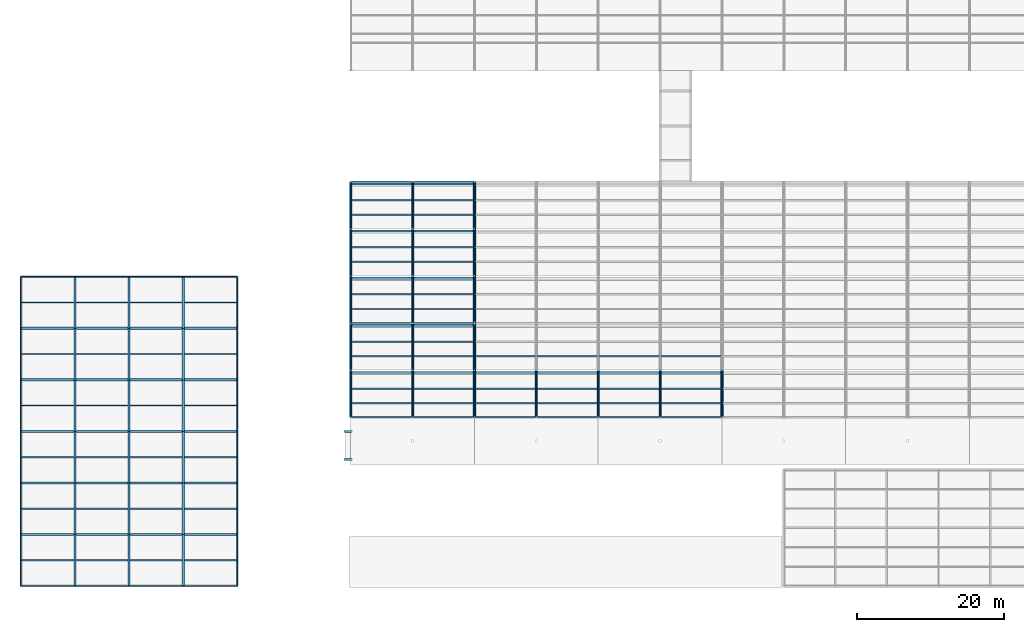
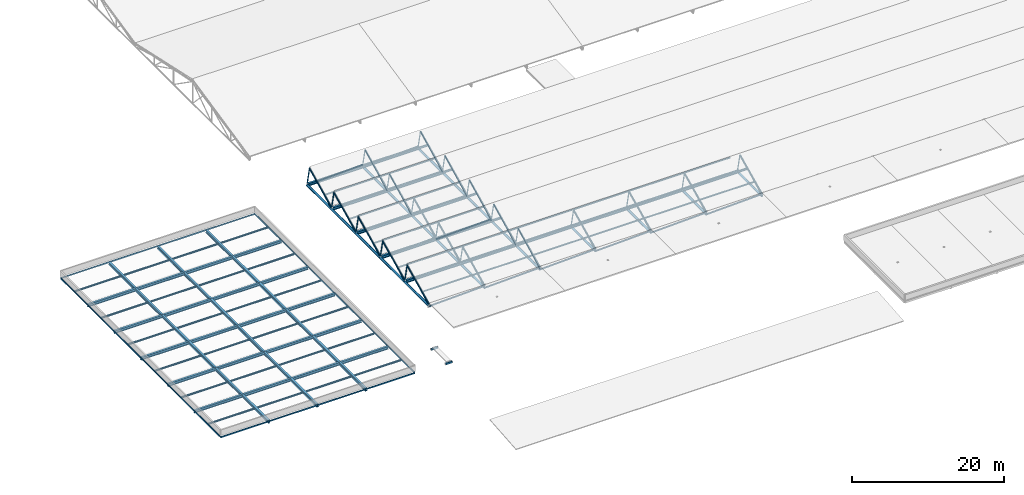
# One storey, part 1 of 194: 128 beams, 88 members.
"""IFC4 building model written with IfcOpenShell, lengths in metres."""

from ifc_helpers import new_model, si_unit, direction, frame, origin, origin_2d, place, context, subcontext, project, spatial, hollow_rectangle, hollow_circle, i_section, extrude, material, material_profile, profile_set, type_object, element, save


model = new_model("IFC4")

# Units and contexts
model_context = context("Model", 3, precision=1e-05, world=origin(), true_north=direction((0.0, 1.0)))
body_context = subcontext(model_context, "Body", "Model", "MODEL_VIEW")
ifc_project = project(units=[si_unit("LENGTHUNIT", "METRE"), si_unit("AREAUNIT", "SQUARE_METRE"), si_unit("VOLUMEUNIT", "CUBIC_METRE"), si_unit("PLANEANGLEUNIT", "RADIAN"), si_unit("MASSUNIT", "GRAM", prefix="KILO")], contexts=[model_context])

# Site, building, storey
site_placement = place(None, origin())
site = spatial("IfcSite", under=ifc_project, at=site_placement, CompositionType="ELEMENT")
building_placement = place(site_placement, origin())
building = spatial("IfcBuilding", under=site, at=building_placement, Name="Kazenagashi Tramway Depot", CompositionType="ELEMENT")
storey_placement = place(building_placement, frame((0.0, 0.0, 23.7)))
storey = spatial("IfcBuildingStorey", under=building, at=storey_placement, Name="ROOF", CompositionType="ELEMENT", Elevation=23.7)

# Members
ifc_material_1 = material(Name="Steel STKR400", Category="steel")
ifc_material_profile_1 = material_profile(ifc_material_1, hollow_rectangle(XDim=0.175, YDim=0.175, WallThickness=0.008, at=origin_2d()), Name="SHS-175x175x8")
ifc_profile_set_1 = profile_set([ifc_material_profile_1], Name="Steel STKR400")
member_type_1 = type_object("IfcMemberType", Name="BR-03", PredefinedType="BRACE", material=ifc_profile_set_1)
for number, where, z_axis, x_axis, name in (
    (1, (44.8, 22.9, -8.9), (0.999362854348, 0.0, 0.035691530512), (0.0, 1.0, 0.0), "Roof Truss BR-03 MEM-1174"),
    (2, (44.8, 35.7, -8.9), (0.999362854348, 0.0, 0.035691530512), (0.0, 1.0, 0.0), "Roof Truss BR-03 MEM-1175"),
    (3, (44.8, 54.9, -8.9), (0.999362854348, 0.0, 0.035691530512), (0.0, 1.0, 0.0), "Roof Truss BR-03 MEM-1176"),
    (4, (53.2, 22.9, -8.9), (0.999362854348, 0.0, 0.035691530512), (0.0, 1.0, 0.0), "Roof Truss BR-03 MEM-1203"),
    (5, (53.2, 35.7, -8.9), (0.999362854348, 0.0, 0.035691530512), (0.0, 1.0, 0.0), "Roof Truss BR-03 MEM-1204"),
    (6, (53.2, 54.9, -8.9), (0.999362854348, 0.0, 0.035691530512), (0.0, 1.0, 0.0), "Roof Truss BR-03 MEM-1205"),
    (7, (61.6, 22.9, -8.9), (0.999362854348, 0.0, 0.035691530512), (0.0, 1.0, 0.0), "Roof Truss BR-03 MEM-1232"),
    (8, (70.0, 22.9, -8.9), (0.999362854348, 0.0, 0.035691530512), (0.0, 1.0, 0.0), "Roof Truss BR-03 MEM-1261"),
    (9, (78.4, 22.9, -8.9), (0.999362854348, 0.0, 0.035691530512), (0.0, 1.0, 0.0), "Roof Truss BR-03 MEM-1290"),
    (10, (86.8, 22.9, -8.9), (0.999362854348, 0.0, 0.035691530512), (0.0, 1.0, 0.0), "Roof Truss BR-03 MEM-1319"),
):
    element("IfcMember", number, at=place(storey_placement, frame(where, z_axis=z_axis, x_axis=x_axis)), inside=storey, type_object=member_type_1, Name=name, PredefinedType="BRACE", context=body_context, shape_type="SweptSolid", body=[
        extrude(hollow_rectangle(XDim=0.175, YDim=0.175, WallThickness=0.008, at=origin_2d()), origin(), (0.0, 0.0, 1.0), 8.405355),
    ])

# Beams
ifc_material_2 = material(Name="Steel SN490B", Category="steel")
ifc_material_profile_2 = material_profile(ifc_material_2, i_section(OverallWidth=0.3, OverallDepth=0.44, WebThickness=0.011, FlangeThickness=0.018, at=origin_2d()), Name="H-440x300x11x18")
ifc_profile_set_2 = profile_set([ifc_material_profile_2], Name="Steel SN490B")
beam_type_1 = type_object("IfcBeamType", Name="G-06", PredefinedType="BEAM", material=ifc_profile_set_2)
for number, where, z_axis, x_axis, name in (
    (11, (0.0, 7.0, -0.44), (1.0, 0.0, 0.0), (0.0, 1.0, 0.0), "Beam G-06 BM-0663"),
    (12, (7.35, 7.0, -0.44), (1.0, 0.0, 0.0), (0.0, 1.0, 0.0), "Beam G-06 BM-0664"),
    (13, (14.7, 7.0, -0.44), (1.0, 0.0, 0.0), (0.0, 1.0, 0.0), "Beam G-06 BM-0665"),
    (14, (22.05, 7.0, -0.44), (1.0, 0.0, 0.0), (0.0, 1.0, 0.0), "Beam G-06 BM-0666"),
    (15, (0.0, 14.0, -0.44), (1.0, 0.0, 0.0), (0.0, 1.0, 0.0), "Beam G-06 BM-0667"),
    (16, (7.35, 14.0, -0.44), (1.0, 0.0, 0.0), (0.0, 1.0, 0.0), "Beam G-06 BM-0668"),
    (17, (14.7, 14.0, -0.44), (1.0, 0.0, 0.0), (0.0, 1.0, 0.0), "Beam G-06 BM-0669"),
    (18, (22.05, 14.0, -0.44), (1.0, 0.0, 0.0), (0.0, 1.0, 0.0), "Beam G-06 BM-0670"),
    (19, (0.0, 21.0, -0.44), (1.0, 0.0, 0.0), (0.0, 1.0, 0.0), "Beam G-06 BM-0671"),
    (20, (7.35, 21.0, -0.44), (1.0, 0.0, 0.0), (0.0, 1.0, 0.0), "Beam G-06 BM-0672"),
    (21, (14.7, 21.0, -0.44), (1.0, 0.0, 0.0), (0.0, 1.0, 0.0), "Beam G-06 BM-0673"),
    (22, (22.05, 21.0, -0.44), (1.0, 0.0, 0.0), (0.0, 1.0, 0.0), "Beam G-06 BM-0674"),
    (23, (0.0, 28.0, -0.44), (1.0, 0.0, 0.0), (0.0, 1.0, 0.0), "Beam G-06 BM-0675"),
    (24, (7.35, 28.0, -0.44), (1.0, 0.0, 0.0), (0.0, 1.0, 0.0), "Beam G-06 BM-0676"),
    (25, (14.7, 28.0, -0.44), (1.0, 0.0, 0.0), (0.0, 1.0, 0.0), "Beam G-06 BM-0677"),
    (26, (22.05, 28.0, -0.44), (1.0, 0.0, 0.0), (0.0, 1.0, 0.0), "Beam G-06 BM-0678"),
    (27, (0.0, 35.0, -0.44), (1.0, 0.0, 0.0), (0.0, 1.0, 0.0), "Beam G-06 BM-0679"),
    (28, (7.35, 35.0, -0.44), (1.0, 0.0, 0.0), (0.0, 1.0, 0.0), "Beam G-06 BM-0680"),
    (29, (14.7, 35.0, -0.44), (1.0, 0.0, 0.0), (0.0, 1.0, 0.0), "Beam G-06 BM-0681"),
    (30, (22.05, 35.0, -0.44), (1.0, 0.0, 0.0), (0.0, 1.0, 0.0), "Beam G-06 BM-0682"),
):
    element("IfcBeam", number, at=place(storey_placement, frame(where, z_axis=z_axis, x_axis=x_axis)), inside=storey, type_object=beam_type_1, Name=name, PredefinedType="BEAM", context=body_context, shape_type="SweptSolid", body=[
        extrude(i_section(OverallWidth=0.3, OverallDepth=0.44, WebThickness=0.011, FlangeThickness=0.018, at=origin_2d()), origin(), (0.0, 0.0, 1.0), 7.35),
    ])
for number, where, z_axis, x_axis, name in (
    (31, (7.35, 0.0, -0.44), (0.0, 1.0, 0.0), (-1.0, 0.0, 0.0), "Beam G-06 BM-0699"),
    (32, (7.35, 7.0, -0.44), (0.0, 1.0, 0.0), (-1.0, 0.0, 0.0), "Beam G-06 BM-0701"),
    (33, (7.35, 14.0, -0.44), (0.0, 1.0, 0.0), (-1.0, 0.0, 0.0), "Beam G-06 BM-0703"),
    (34, (7.35, 21.0, -0.44), (0.0, 1.0, 0.0), (-1.0, 0.0, 0.0), "Beam G-06 BM-0705"),
    (35, (7.35, 28.0, -0.44), (0.0, 1.0, 0.0), (-1.0, 0.0, 0.0), "Beam G-06 BM-0707"),
    (36, (7.35, 35.0, -0.44), (0.0, 1.0, 0.0), (-1.0, 0.0, 0.0), "Beam G-06 BM-0709"),
    (37, (14.7, 0.0, -0.44), (0.0, 1.0, 0.0), (-1.0, 0.0, 0.0), "Beam G-06 BM-0711"),
    (38, (14.7, 7.0, -0.44), (0.0, 1.0, 0.0), (-1.0, 0.0, 0.0), "Beam G-06 BM-0713"),
    (39, (14.7, 14.0, -0.44), (0.0, 1.0, 0.0), (-1.0, 0.0, 0.0), "Beam G-06 BM-0715"),
    (40, (14.7, 21.0, -0.44), (0.0, 1.0, 0.0), (-1.0, 0.0, 0.0), "Beam G-06 BM-0717"),
    (41, (14.7, 28.0, -0.44), (0.0, 1.0, 0.0), (-1.0, 0.0, 0.0), "Beam G-06 BM-0719"),
    (42, (14.7, 35.0, -0.44), (0.0, 1.0, 0.0), (-1.0, 0.0, 0.0), "Beam G-06 BM-0721"),
    (43, (22.05, 0.0, -0.44), (0.0, 1.0, 0.0), (-1.0, 0.0, 0.0), "Beam G-06 BM-0723"),
    (44, (22.05, 7.0, -0.44), (0.0, 1.0, 0.0), (-1.0, 0.0, 0.0), "Beam G-06 BM-0725"),
    (45, (22.05, 14.0, -0.44), (0.0, 1.0, 0.0), (-1.0, 0.0, 0.0), "Beam G-06 BM-0727"),
    (46, (22.05, 21.0, -0.44), (0.0, 1.0, 0.0), (-1.0, 0.0, 0.0), "Beam G-06 BM-0729"),
    (47, (22.05, 28.0, -0.44), (0.0, 1.0, 0.0), (-1.0, 0.0, 0.0), "Beam G-06 BM-0731"),
    (48, (22.05, 35.0, -0.44), (0.0, 1.0, 0.0), (-1.0, 0.0, 0.0), "Beam G-06 BM-0733"),
):
    element("IfcBeam", number, at=place(storey_placement, frame(where, z_axis=z_axis, x_axis=x_axis)), inside=storey, type_object=beam_type_1, Name=name, PredefinedType="BEAM", context=body_context, shape_type="SweptSolid", body=[
        extrude(i_section(OverallWidth=0.3, OverallDepth=0.44, WebThickness=0.011, FlangeThickness=0.018, at=origin_2d()), origin(), (0.0, 0.0, 1.0), 7.0),
    ])
for number, where, z_axis, x_axis, name in (
    (49, (44.8, 29.0, -8.62), (1.0, 0.0, 0.0), (0.0, 1.0, 0.0), "Beam G-06 BM-1930"),
    (50, (53.2, 29.0, -8.62), (1.0, 0.0, 0.0), (0.0, 1.0, 0.0), "Beam G-06 BM-1931"),
    (51, (61.6, 29.0, -8.62), (1.0, 0.0, 0.0), (0.0, 1.0, 0.0), "Beam G-06 BM-1932"),
    (52, (70.0, 29.0, -8.62), (1.0, 0.0, 0.0), (0.0, 1.0, 0.0), "Beam G-06 BM-1933"),
    (53, (78.4, 29.0, -8.62), (1.0, 0.0, 0.0), (0.0, 1.0, 0.0), "Beam G-06 BM-1934"),
    (54, (86.8, 29.0, -8.62), (1.0, 0.0, 0.0), (0.0, 1.0, 0.0), "Beam G-06 BM-1935"),
    (55, (44.8, 35.4, -8.62), (1.0, 0.0, 0.0), (0.0, 1.0, 0.0), "Beam G-06 BM-1942"),
    (56, (53.2, 35.4, -8.62), (1.0, 0.0, 0.0), (0.0, 1.0, 0.0), "Beam G-06 BM-1943"),
    (57, (44.8, 41.8, -8.62), (1.0, 0.0, 0.0), (0.0, 1.0, 0.0), "Beam G-06 BM-1954"),
    (58, (53.2, 41.8, -8.62), (1.0, 0.0, 0.0), (0.0, 1.0, 0.0), "Beam G-06 BM-1955"),
    (59, (44.8, 48.2, -8.62), (1.0, 0.0, 0.0), (0.0, 1.0, 0.0), "Beam G-06 BM-1966"),
    (60, (53.2, 48.2, -8.62), (1.0, 0.0, 0.0), (0.0, 1.0, 0.0), "Beam G-06 BM-1967"),
    (61, (44.8, 54.6, -8.62), (1.0, 0.0, 0.0), (0.0, 1.0, 0.0), "Beam G-06 BM-1978"),
    (62, (53.2, 54.6, -8.62), (1.0, 0.0, 0.0), (0.0, 1.0, 0.0), "Beam G-06 BM-1979"),
):
    element("IfcBeam", number, at=place(storey_placement, frame(where, z_axis=z_axis, x_axis=x_axis)), inside=storey, type_object=beam_type_1, Name=name, PredefinedType="BEAM", context=body_context, shape_type="SweptSolid", body=[
        extrude(i_section(OverallWidth=0.3, OverallDepth=0.44, WebThickness=0.011, FlangeThickness=0.018, at=origin_2d()), origin(), (0.0, 0.0, 1.0), 8.4),
    ])
ifc_material_3 = material(Name="Steel SN400B", Category="steel")
ifc_material_profile_3 = material_profile(ifc_material_3, i_section(OverallWidth=0.175, OverallDepth=0.244, WebThickness=0.007, FlangeThickness=0.011, at=origin_2d()), Name="H-244x175x7x11")
ifc_profile_set_3 = profile_set([ifc_material_profile_3], Name="Steel SN400B")
beam_type_2 = type_object("IfcBeamType", Name="J-04", PredefinedType="JOIST", material=ifc_profile_set_3)
for number, where, z_axis, x_axis, name in (
    (63, (0.05, 3.5, -0.342), (1.0, 0.0, 0.0), (0.0, 1.0, 0.0), "Beam J-04 BM-0688"),
    (64, (0.05, 10.5, -0.342), (1.0, 0.0, 0.0), (0.0, 1.0, 0.0), "Beam J-04 BM-0690"),
    (65, (0.05, 17.5, -0.342), (1.0, 0.0, 0.0), (0.0, 1.0, 0.0), "Beam J-04 BM-0692"),
    (66, (0.05, 24.5, -0.342), (1.0, 0.0, 0.0), (0.0, 1.0, 0.0), "Beam J-04 BM-0694"),
    (67, (0.05, 31.5, -0.342), (1.0, 0.0, 0.0), (0.0, 1.0, 0.0), "Beam J-04 BM-0696"),
    (68, (0.05, 38.5, -0.342), (1.0, 0.0, 0.0), (0.0, 1.0, 0.0), "Beam J-04 BM-0698"),
):
    element("IfcBeam", number, at=place(storey_placement, frame(where, z_axis=z_axis, x_axis=x_axis)), inside=storey, type_object=beam_type_2, Name=name, PredefinedType="JOIST", context=body_context, shape_type="SweptSolid", body=[
        extrude(i_section(OverallWidth=0.175, OverallDepth=0.244, WebThickness=0.007, FlangeThickness=0.011, at=origin_2d()), origin(), (0.0, 0.0, 1.0), 7.15),
    ])
for number, where, z_axis, x_axis, name in (
    (69, (7.5, 3.5, -0.342), (1.0, 0.0, 0.0), (0.0, 1.0, 0.0), "Beam J-04 BM-0700"),
    (70, (7.5, 10.5, -0.342), (1.0, 0.0, 0.0), (0.0, 1.0, 0.0), "Beam J-04 BM-0702"),
    (71, (7.5, 17.5, -0.342), (1.0, 0.0, 0.0), (0.0, 1.0, 0.0), "Beam J-04 BM-0704"),
    (72, (7.5, 24.5, -0.342), (1.0, 0.0, 0.0), (0.0, 1.0, 0.0), "Beam J-04 BM-0706"),
    (73, (7.5, 31.5, -0.342), (1.0, 0.0, 0.0), (0.0, 1.0, 0.0), "Beam J-04 BM-0708"),
    (74, (7.5, 38.5, -0.342), (1.0, 0.0, 0.0), (0.0, 1.0, 0.0), "Beam J-04 BM-0710"),
    (75, (14.85, 3.5, -0.342), (1.0, 0.0, 0.0), (0.0, 1.0, 0.0), "Beam J-04 BM-0712"),
    (76, (14.85, 10.5, -0.342), (1.0, 0.0, 0.0), (0.0, 1.0, 0.0), "Beam J-04 BM-0714"),
    (77, (14.85, 17.5, -0.342), (1.0, 0.0, 0.0), (0.0, 1.0, 0.0), "Beam J-04 BM-0716"),
    (78, (14.85, 24.5, -0.342), (1.0, 0.0, 0.0), (0.0, 1.0, 0.0), "Beam J-04 BM-0718"),
    (79, (14.85, 31.5, -0.342), (1.0, 0.0, 0.0), (0.0, 1.0, 0.0), "Beam J-04 BM-0720"),
    (80, (14.85, 38.5, -0.342), (1.0, 0.0, 0.0), (0.0, 1.0, 0.0), "Beam J-04 BM-0722"),
):
    element("IfcBeam", number, at=place(storey_placement, frame(where, z_axis=z_axis, x_axis=x_axis)), inside=storey, type_object=beam_type_2, Name=name, PredefinedType="JOIST", context=body_context, shape_type="SweptSolid", body=[
        extrude(i_section(OverallWidth=0.175, OverallDepth=0.244, WebThickness=0.007, FlangeThickness=0.011, at=origin_2d()), origin(), (0.0, 0.0, 1.0), 7.05),
    ])
for number, where, z_axis, x_axis, name in (
    (81, (22.2, 3.5, -0.342), (1.0, 0.0, 0.0), (0.0, 1.0, 0.0), "Beam J-04 BM-0724"),
    (82, (22.2, 10.5, -0.342), (1.0, 0.0, 0.0), (0.0, 1.0, 0.0), "Beam J-04 BM-0726"),
    (83, (22.2, 17.5, -0.342), (1.0, 0.0, 0.0), (0.0, 1.0, 0.0), "Beam J-04 BM-0728"),
    (84, (22.2, 24.5, -0.342), (1.0, 0.0, 0.0), (0.0, 1.0, 0.0), "Beam J-04 BM-0730"),
    (85, (22.2, 31.5, -0.342), (1.0, 0.0, 0.0), (0.0, 1.0, 0.0), "Beam J-04 BM-0732"),
    (86, (22.2, 38.5, -0.342), (1.0, 0.0, 0.0), (0.0, 1.0, 0.0), "Beam J-04 BM-0734"),
):
    element("IfcBeam", number, at=place(storey_placement, frame(where, z_axis=z_axis, x_axis=x_axis)), inside=storey, type_object=beam_type_2, Name=name, PredefinedType="JOIST", context=body_context, shape_type="SweptSolid", body=[
        extrude(i_section(OverallWidth=0.175, OverallDepth=0.244, WebThickness=0.007, FlangeThickness=0.011, at=origin_2d()), origin(), (0.0, 0.0, 1.0), 7.15),
    ])
ifc_material_profile_4 = material_profile(ifc_material_3, i_section(OverallWidth=0.175, OverallDepth=0.175, WebThickness=0.0075, FlangeThickness=0.011, at=origin_2d()), Name="H-175x175x7.5x11")
ifc_profile_set_4 = profile_set([ifc_material_profile_4], Name="Steel SN400B")
beam_type_3 = type_object("IfcBeamType", Name="PR-02", PredefinedType="USERDEFINED", material=ifc_profile_set_4)
for number, where, z_axis, x_axis, name in (
    (87, (44.8, 24.814, -7.775), (1.0, 0.0, 0.0), (0.0, 1.0, 0.0), "Beam PR-02 BM-2234"),
    (88, (53.2, 24.814, -7.775), (1.0, 0.0, 0.0), (0.0, 1.0, 0.0), "Beam PR-02 BM-2235"),
    (89, (61.6, 24.814, -7.775), (1.0, 0.0, 0.0), (0.0, 1.0, 0.0), "Beam PR-02 BM-2236"),
    (90, (70.0, 24.814, -7.775), (1.0, 0.0, 0.0), (0.0, 1.0, 0.0), "Beam PR-02 BM-2237"),
    (91, (78.4, 24.814, -7.775), (1.0, 0.0, 0.0), (0.0, 1.0, 0.0), "Beam PR-02 BM-2238"),
    (92, (86.8, 24.814, -7.775), (1.0, 0.0, 0.0), (0.0, 1.0, 0.0), "Beam PR-02 BM-2239"),
    (93, (44.8, 31.214, -7.775), (1.0, 0.0, 0.0), (0.0, 1.0, 0.0), "Beam PR-02 BM-2258"),
    (94, (53.2, 31.214, -7.775), (1.0, 0.0, 0.0), (0.0, 1.0, 0.0), "Beam PR-02 BM-2259"),
    (95, (61.6, 31.214, -7.775), (1.0, 0.0, 0.0), (0.0, 1.0, 0.0), "Beam PR-02 BM-2260"),
    (96, (70.0, 31.214, -7.775), (1.0, 0.0, 0.0), (0.0, 1.0, 0.0), "Beam PR-02 BM-2261"),
    (97, (78.4, 31.214, -7.775), (1.0, 0.0, 0.0), (0.0, 1.0, 0.0), "Beam PR-02 BM-2262"),
    (98, (86.8, 31.214, -7.775), (1.0, 0.0, 0.0), (0.0, 1.0, 0.0), "Beam PR-02 BM-2263"),
    (99, (44.8, 37.614, -7.775), (1.0, 0.0, 0.0), (0.0, 1.0, 0.0), "Beam PR-02 BM-2282"),
    (100, (53.2, 37.614, -7.775), (1.0, 0.0, 0.0), (0.0, 1.0, 0.0), "Beam PR-02 BM-2283"),
    (101, (44.8, 44.014, -7.775), (1.0, 0.0, 0.0), (0.0, 1.0, 0.0), "Beam PR-02 BM-2306"),
    (102, (53.2, 44.014, -7.775), (1.0, 0.0, 0.0), (0.0, 1.0, 0.0), "Beam PR-02 BM-2307"),
    (103, (44.8, 50.414, -7.775), (1.0, 0.0, 0.0), (0.0, 1.0, 0.0), "Beam PR-02 BM-2330"),
    (104, (53.2, 50.414, -7.775), (1.0, 0.0, 0.0), (0.0, 1.0, 0.0), "Beam PR-02 BM-2331"),
):
    element("IfcBeam", number, at=place(storey_placement, frame(where, z_axis=z_axis, x_axis=x_axis)), inside=storey, type_object=beam_type_3, Name=name, ObjectType="PURLIN", PredefinedType="USERDEFINED", context=body_context, shape_type="SweptSolid", body=[
        extrude(i_section(OverallWidth=0.175, OverallDepth=0.175, WebThickness=0.0075, FlangeThickness=0.011, at=origin_2d()), origin(), (0.0, 0.0, 1.0), 8.4),
    ])
ifc_material_profile_5 = material_profile(ifc_material_2, i_section(OverallWidth=0.2, OverallDepth=0.294, WebThickness=0.008, FlangeThickness=0.012, at=origin_2d()), Name="H-294x200x8x12")
ifc_profile_set_5 = profile_set([ifc_material_profile_5], Name="Steel SN490B")
beam_type_4 = type_object("IfcBeamType", Name="PR-03", PredefinedType="USERDEFINED", material=ifc_profile_set_5)
for number, where, z_axis, x_axis, name in (
    (105, (44.8, 26.786, -6.873), (1.0, 0.0, 0.0), (0.0, 1.0, 0.0), "Beam PR-03 BM-2246"),
    (106, (53.2, 26.786, -6.873), (1.0, 0.0, 0.0), (0.0, 1.0, 0.0), "Beam PR-03 BM-2247"),
    (107, (61.6, 26.786, -6.873), (1.0, 0.0, 0.0), (0.0, 1.0, 0.0), "Beam PR-03 BM-2248"),
    (108, (70.0, 26.786, -6.873), (1.0, 0.0, 0.0), (0.0, 1.0, 0.0), "Beam PR-03 BM-2249"),
    (109, (78.4, 26.786, -6.873), (1.0, 0.0, 0.0), (0.0, 1.0, 0.0), "Beam PR-03 BM-2250"),
    (110, (86.8, 26.786, -6.873), (1.0, 0.0, 0.0), (0.0, 1.0, 0.0), "Beam PR-03 BM-2251"),
    (111, (44.8, 33.186, -6.873), (1.0, 0.0, 0.0), (0.0, 1.0, 0.0), "Beam PR-03 BM-2270"),
    (112, (53.2, 33.186, -6.873), (1.0, 0.0, 0.0), (0.0, 1.0, 0.0), "Beam PR-03 BM-2271"),
    (113, (44.8, 39.586, -6.873), (1.0, 0.0, 0.0), (0.0, 1.0, 0.0), "Beam PR-03 BM-2294"),
    (114, (53.2, 39.586, -6.873), (1.0, 0.0, 0.0), (0.0, 1.0, 0.0), "Beam PR-03 BM-2295"),
    (115, (44.8, 45.986, -6.873), (1.0, 0.0, 0.0), (0.0, 1.0, 0.0), "Beam PR-03 BM-2318"),
    (116, (53.2, 45.986, -6.873), (1.0, 0.0, 0.0), (0.0, 1.0, 0.0), "Beam PR-03 BM-2319"),
    (117, (44.8, 52.386, -6.873), (1.0, 0.0, 0.0), (0.0, 1.0, 0.0), "Beam PR-03 BM-2342"),
    (118, (53.2, 52.386, -6.873), (1.0, 0.0, 0.0), (0.0, 1.0, 0.0), "Beam PR-03 BM-2343"),
):
    element("IfcBeam", number, at=place(storey_placement, frame(where, z_axis=z_axis, x_axis=x_axis)), inside=storey, type_object=beam_type_4, Name=name, ObjectType="PURLIN", PredefinedType="USERDEFINED", context=body_context, shape_type="SweptSolid", body=[
        extrude(i_section(OverallWidth=0.2, OverallDepth=0.294, WebThickness=0.008, FlangeThickness=0.012, at=origin_2d()), origin(), (0.0, 0.0, 1.0), 8.4),
    ])
ifc_material_profile_6 = material_profile(ifc_material_1, hollow_rectangle(XDim=0.1, YDim=0.2, WallThickness=0.006, at=origin_2d()), Name="RHS-200x100x6")
ifc_profile_set_6 = profile_set([ifc_material_profile_6], Name="Steel STKR400")
beam_type_5 = type_object("IfcBeamType", Name="SP-05", PredefinedType="SPANDREL", material=ifc_profile_set_6)
for number, where, z_axis, x_axis, name in (
    (119, (0.0, 0.0, -0.32), (1.0, 0.0, 0.0), (0.0, 1.0, 0.0), "Beam SP-05 BM-0659"),
    (120, (7.35, 0.0, -0.32), (1.0, 0.0, 0.0), (0.0, 1.0, 0.0), "Beam SP-05 BM-0660"),
    (121, (14.7, 0.0, -0.32), (1.0, 0.0, 0.0), (0.0, 1.0, 0.0), "Beam SP-05 BM-0661"),
    (122, (22.05, 0.0, -0.32), (1.0, 0.0, 0.0), (0.0, 1.0, 0.0), "Beam SP-05 BM-0662"),
    (123, (0.0, 42.0, -0.32), (1.0, 0.0, 0.0), (0.0, 1.0, 0.0), "Beam SP-05 BM-0683"),
    (124, (7.35, 42.0, -0.32), (1.0, 0.0, 0.0), (0.0, 1.0, 0.0), "Beam SP-05 BM-0684"),
    (125, (14.7, 42.0, -0.32), (1.0, 0.0, 0.0), (0.0, 1.0, 0.0), "Beam SP-05 BM-0685"),
    (126, (22.05, 42.0, -0.32), (1.0, 0.0, 0.0), (0.0, 1.0, 0.0), "Beam SP-05 BM-0686"),
):
    element("IfcBeam", number, at=place(storey_placement, frame(where, z_axis=z_axis, x_axis=x_axis)), inside=storey, type_object=beam_type_5, Name=name, PredefinedType="SPANDREL", context=body_context, shape_type="SweptSolid", body=[
        extrude(hollow_rectangle(XDim=0.1, YDim=0.2, WallThickness=0.006, at=origin_2d()), origin(), (0.0, 0.0, 1.0), 7.35),
    ])
for number, where, z_axis, x_axis, name in (
    (127, (0.0, 0.0, -0.32), (0.0, 1.0, 0.0), (-1.0, 0.0, 0.0), "Beam SP-05 BM-0687"),
    (128, (0.0, 7.0, -0.32), (0.0, 1.0, 0.0), (-1.0, 0.0, 0.0), "Beam SP-05 BM-0689"),
    (129, (0.0, 14.0, -0.32), (0.0, 1.0, 0.0), (-1.0, 0.0, 0.0), "Beam SP-05 BM-0691"),
    (130, (0.0, 21.0, -0.32), (0.0, 1.0, 0.0), (-1.0, 0.0, 0.0), "Beam SP-05 BM-0693"),
    (131, (0.0, 28.0, -0.32), (0.0, 1.0, 0.0), (-1.0, 0.0, 0.0), "Beam SP-05 BM-0695"),
    (132, (0.0, 35.0, -0.32), (0.0, 1.0, 0.0), (-1.0, 0.0, 0.0), "Beam SP-05 BM-0697"),
    (133, (29.4, 0.0, -0.32), (0.0, 1.0, 0.0), (-1.0, 0.0, 0.0), "Beam SP-05 BM-0735"),
    (134, (29.4, 7.0, -0.32), (0.0, 1.0, 0.0), (-1.0, 0.0, 0.0), "Beam SP-05 BM-0736"),
    (135, (29.4, 14.0, -0.32), (0.0, 1.0, 0.0), (-1.0, 0.0, 0.0), "Beam SP-05 BM-0737"),
    (136, (29.4, 21.0, -0.32), (0.0, 1.0, 0.0), (-1.0, 0.0, 0.0), "Beam SP-05 BM-0738"),
    (137, (29.4, 28.0, -0.32), (0.0, 1.0, 0.0), (-1.0, 0.0, 0.0), "Beam SP-05 BM-0739"),
    (138, (29.4, 35.0, -0.32), (0.0, 1.0, 0.0), (-1.0, 0.0, 0.0), "Beam SP-05 BM-0740"),
):
    element("IfcBeam", number, at=place(storey_placement, frame(where, z_axis=z_axis, x_axis=x_axis)), inside=storey, type_object=beam_type_5, Name=name, PredefinedType="SPANDREL", context=body_context, shape_type="SweptSolid", body=[
        extrude(hollow_rectangle(XDim=0.1, YDim=0.2, WallThickness=0.006, at=origin_2d()), origin(), (0.0, 0.0, 1.0), 7.0),
    ])

# Members
ifc_material_4 = material(Name="Steel STK490", Category="steel")
ifc_material_profile_7 = material_profile(ifc_material_4, hollow_circle(Radius=0.1337, WallThickness=0.0093, at=origin_2d()), Name="CHS-267.4x9.3")
ifc_profile_set_7 = profile_set([ifc_material_profile_7], Name="Steel STK490")
member_type_2 = type_object("IfcMemberType", Name="TC-01", PredefinedType="CHORD", material=ifc_profile_set_7)
for number, where, z_axis, x_axis, name in (
    (139, (44.8, 22.9, -8.6), (0.0, 0.903579167632, 0.428421157067), (-1.0, 0.0, 0.0), "Roof Truss TC-01 MEM-1149"),
    (140, (44.8, 29.3, -8.6), (0.0, 0.903579167632, 0.428421157067), (-1.0, 0.0, 0.0), "Roof Truss TC-01 MEM-1154"),
    (141, (44.8, 35.7, -8.6), (0.0, 0.903579167632, 0.428421157067), (-1.0, 0.0, 0.0), "Roof Truss TC-01 MEM-1159"),
    (142, (44.8, 42.1, -8.6), (0.0, 0.903579167632, 0.428421157067), (-1.0, 0.0, 0.0), "Roof Truss TC-01 MEM-1164"),
    (143, (44.8, 48.5, -8.6), (0.0, 0.903579167632, 0.428421157067), (-1.0, 0.0, 0.0), "Roof Truss TC-01 MEM-1169"),
    (144, (53.2, 22.9, -8.6), (0.0, 0.903579167632, 0.428421157067), (-1.0, 0.0, 0.0), "Roof Truss TC-01 MEM-1178"),
    (145, (53.2, 29.3, -8.6), (0.0, 0.903579167632, 0.428421157067), (-1.0, 0.0, 0.0), "Roof Truss TC-01 MEM-1183"),
    (146, (53.2, 35.7, -8.6), (0.0, 0.903579167632, 0.428421157067), (-1.0, 0.0, 0.0), "Roof Truss TC-01 MEM-1188"),
    (147, (53.2, 42.1, -8.6), (0.0, 0.903579167632, 0.428421157067), (-1.0, 0.0, 0.0), "Roof Truss TC-01 MEM-1193"),
    (148, (53.2, 48.5, -8.6), (0.0, 0.903579167632, 0.428421157067), (-1.0, 0.0, 0.0), "Roof Truss TC-01 MEM-1198"),
    (149, (61.6, 22.9, -8.6), (0.0, 0.903579167632, 0.428421157067), (-1.0, 0.0, 0.0), "Roof Truss TC-01 MEM-1207"),
    (150, (61.6, 29.3, -8.6), (0.0, 0.903579167632, 0.428421157067), (-1.0, 0.0, 0.0), "Roof Truss TC-01 MEM-1212"),
    (151, (61.6, 35.7, -8.6), (0.0, 0.903579167632, 0.428421157067), (-1.0, 0.0, 0.0), "Roof Truss TC-01 MEM-1217"),
    (152, (61.6, 42.1, -8.6), (0.0, 0.903579167632, 0.428421157067), (-1.0, 0.0, 0.0), "Roof Truss TC-01 MEM-1222"),
    (153, (61.6, 48.5, -8.6), (0.0, 0.903579167632, 0.428421157067), (-1.0, 0.0, 0.0), "Roof Truss TC-01 MEM-1227"),
    (154, (70.0, 22.9, -8.6), (0.0, 0.903579167632, 0.428421157067), (-1.0, 0.0, 0.0), "Roof Truss TC-01 MEM-1236"),
    (155, (78.4, 22.9, -8.6), (0.0, 0.903579167632, 0.428421157067), (-1.0, 0.0, 0.0), "Roof Truss TC-01 MEM-1265"),
    (156, (86.8, 22.9, -8.6), (0.0, 0.903579167632, 0.428421157067), (-1.0, 0.0, 0.0), "Roof Truss TC-01 MEM-1294"),
    (157, (95.2, 22.9, -8.6), (0.0, 0.903579167632, 0.428421157067), (-1.0, 0.0, 0.0), "Roof Truss TC-01 MEM-1323"),
):
    element("IfcMember", number, at=place(storey_placement, frame(where, z_axis=z_axis, x_axis=x_axis)), inside=storey, type_object=member_type_2, Name=name, PredefinedType="CHORD", context=body_context, shape_type="SweptSolid", body=[
        extrude(hollow_circle(Radius=0.1337, WallThickness=0.0093, at=origin_2d()), origin(), (0.0, 0.0, 1.0), 6.418917),
    ])
ifc_material_profile_8 = material_profile(ifc_material_4, hollow_circle(Radius=0.1778, WallThickness=0.0127, at=origin_2d()), Name="CHS-355.6x12.7")
ifc_profile_set_8 = profile_set([ifc_material_profile_8], Name="Steel STK490")
member_type_3 = type_object("IfcMemberType", Name="TC-03", PredefinedType="CHORD", material=ifc_profile_set_8)
for number, where, z_axis, x_axis, name in (
    (158, (44.8, 22.9, -8.9), (0.0, 1.0, 0.0), (-1.0, 0.0, 0.0), "Roof Truss TC-03 MEM-1148"),
    (159, (44.8, 29.3, -8.9), (0.0, 1.0, 0.0), (-1.0, 0.0, 0.0), "Roof Truss TC-03 MEM-1153"),
    (160, (44.8, 35.7, -8.9), (0.0, 1.0, 0.0), (-1.0, 0.0, 0.0), "Roof Truss TC-03 MEM-1158"),
    (161, (44.8, 42.1, -8.9), (0.0, 1.0, 0.0), (-1.0, 0.0, 0.0), "Roof Truss TC-03 MEM-1163"),
    (162, (44.8, 48.5, -8.9), (0.0, 1.0, 0.0), (-1.0, 0.0, 0.0), "Roof Truss TC-03 MEM-1168"),
    (163, (53.2, 22.9, -8.9), (0.0, 1.0, 0.0), (-1.0, 0.0, 0.0), "Roof Truss TC-03 MEM-1177"),
    (164, (53.2, 29.3, -8.9), (0.0, 1.0, 0.0), (-1.0, 0.0, 0.0), "Roof Truss TC-03 MEM-1182"),
    (165, (53.2, 35.7, -8.9), (0.0, 1.0, 0.0), (-1.0, 0.0, 0.0), "Roof Truss TC-03 MEM-1187"),
    (166, (53.2, 42.1, -8.9), (0.0, 1.0, 0.0), (-1.0, 0.0, 0.0), "Roof Truss TC-03 MEM-1192"),
    (167, (53.2, 48.5, -8.9), (0.0, 1.0, 0.0), (-1.0, 0.0, 0.0), "Roof Truss TC-03 MEM-1197"),
    (168, (61.6, 22.9, -8.9), (0.0, 1.0, 0.0), (-1.0, 0.0, 0.0), "Roof Truss TC-03 MEM-1206"),
    (169, (61.6, 29.3, -8.9), (0.0, 1.0, 0.0), (-1.0, 0.0, 0.0), "Roof Truss TC-03 MEM-1211"),
    (170, (61.6, 35.7, -8.9), (0.0, 1.0, 0.0), (-1.0, 0.0, 0.0), "Roof Truss TC-03 MEM-1216"),
    (171, (61.6, 42.1, -8.9), (0.0, 1.0, 0.0), (-1.0, 0.0, 0.0), "Roof Truss TC-03 MEM-1221"),
    (172, (61.6, 48.5, -8.9), (0.0, 1.0, 0.0), (-1.0, 0.0, 0.0), "Roof Truss TC-03 MEM-1226"),
    (173, (70.0, 22.9, -8.9), (0.0, 1.0, 0.0), (-1.0, 0.0, 0.0), "Roof Truss TC-03 MEM-1235"),
    (174, (78.4, 22.9, -8.9), (0.0, 1.0, 0.0), (-1.0, 0.0, 0.0), "Roof Truss TC-03 MEM-1264"),
    (175, (86.8, 22.9, -8.9), (0.0, 1.0, 0.0), (-1.0, 0.0, 0.0), "Roof Truss TC-03 MEM-1293"),
    (176, (95.2, 22.9, -8.9), (0.0, 1.0, 0.0), (-1.0, 0.0, 0.0), "Roof Truss TC-03 MEM-1322"),
):
    element("IfcMember", number, at=place(storey_placement, frame(where, z_axis=z_axis, x_axis=x_axis)), inside=storey, type_object=member_type_3, Name=name, PredefinedType="CHORD", context=body_context, shape_type="SweptSolid", body=[
        extrude(hollow_circle(Radius=0.1778, WallThickness=0.0127, at=origin_2d()), origin(), (0.0, 0.0, 1.0), 6.4),
    ])
ifc_material_5 = material(Name="Weathering Steel SMA490W", Category="steel")
ifc_material_profile_9 = material_profile(ifc_material_5, hollow_rectangle(XDim=0.25, YDim=0.25, WallThickness=0.009, at=origin_2d()), Name="SHS-250x250x9")
ifc_profile_set_9 = profile_set([ifc_material_profile_9], Name="Weathering Steel SMA490W")
member_type_4 = type_object("IfcMemberType", Name="TC-04", PredefinedType="CHORD", material=ifc_profile_set_9)
for number, where, z_axis, x_axis, name in (
    (177, (43.95, 17.2, -14.39), (1.0, 0.0, 0.0), (0.0, 1.0, 0.0), "Link Bridge Truss TC-04 MEM-1554"),
    (178, (43.95, 21.0, -14.39), (1.0, 0.0, 0.0), (0.0, 1.0, 0.0), "Link Bridge Truss TC-04 MEM-1555"),
):
    element("IfcMember", number, at=place(storey_placement, frame(where, z_axis=z_axis, x_axis=x_axis)), inside=storey, type_object=member_type_4, Name=name, PredefinedType="CHORD", context=body_context, shape_type="SweptSolid", body=[
        extrude(hollow_rectangle(XDim=0.25, YDim=0.25, WallThickness=0.009, at=origin_2d()), origin(), (0.0, 0.0, 1.0), 1.0),
    ])
ifc_material_profile_10 = material_profile(ifc_material_4, hollow_circle(Radius=0.0826, WallThickness=0.0071, at=origin_2d()), Name="CHS-165.2x7.1")
ifc_profile_set_10 = profile_set([ifc_material_profile_10], Name="Steel STK490")
member_type_5 = type_object("IfcMemberType", Name="TS-01", PredefinedType="STRUT", material=ifc_profile_set_10)
for number, where, z_axis, x_axis, name in (
    (179, (44.8, 28.7, -5.85), (0.0, 0.213167075217, -0.97701576141), (-1.0, 0.0, 0.0), "Roof Truss TS-01 MEM-1150"),
    (180, (44.8, 35.1, -5.85), (0.0, 0.213167075217, -0.97701576141), (-1.0, 0.0, 0.0), "Roof Truss TS-01 MEM-1155"),
    (181, (44.8, 41.5, -5.85), (0.0, 0.213167075217, -0.97701576141), (-1.0, 0.0, 0.0), "Roof Truss TS-01 MEM-1160"),
    (182, (44.8, 47.9, -5.85), (0.0, 0.213167075217, -0.97701576141), (-1.0, 0.0, 0.0), "Roof Truss TS-01 MEM-1165"),
    (183, (44.8, 54.3, -5.85), (0.0, 0.213167075217, -0.97701576141), (-1.0, 0.0, 0.0), "Roof Truss TS-01 MEM-1170"),
    (184, (53.2, 28.7, -5.85), (0.0, 0.213167075217, -0.97701576141), (-1.0, 0.0, 0.0), "Roof Truss TS-01 MEM-1179"),
    (185, (53.2, 35.1, -5.85), (0.0, 0.213167075217, -0.97701576141), (-1.0, 0.0, 0.0), "Roof Truss TS-01 MEM-1184"),
    (186, (53.2, 41.5, -5.85), (0.0, 0.213167075217, -0.97701576141), (-1.0, 0.0, 0.0), "Roof Truss TS-01 MEM-1189"),
    (187, (53.2, 47.9, -5.85), (0.0, 0.213167075217, -0.97701576141), (-1.0, 0.0, 0.0), "Roof Truss TS-01 MEM-1194"),
    (188, (53.2, 54.3, -5.85), (0.0, 0.213167075217, -0.97701576141), (-1.0, 0.0, 0.0), "Roof Truss TS-01 MEM-1199"),
    (189, (61.6, 28.7, -5.85), (0.0, 0.213167075217, -0.97701576141), (-1.0, 0.0, 0.0), "Roof Truss TS-01 MEM-1208"),
    (190, (61.6, 35.1, -5.85), (0.0, 0.213167075217, -0.97701576141), (-1.0, 0.0, 0.0), "Roof Truss TS-01 MEM-1213"),
    (191, (61.6, 41.5, -5.85), (0.0, 0.213167075217, -0.97701576141), (-1.0, 0.0, 0.0), "Roof Truss TS-01 MEM-1218"),
    (192, (61.6, 47.9, -5.85), (0.0, 0.213167075217, -0.97701576141), (-1.0, 0.0, 0.0), "Roof Truss TS-01 MEM-1223"),
    (193, (61.6, 54.3, -5.85), (0.0, 0.213167075217, -0.97701576141), (-1.0, 0.0, 0.0), "Roof Truss TS-01 MEM-1228"),
    (194, (70.0, 28.7, -5.85), (0.0, 0.213167075217, -0.97701576141), (-1.0, 0.0, 0.0), "Roof Truss TS-01 MEM-1237"),
    (195, (78.4, 28.7, -5.85), (0.0, 0.213167075217, -0.97701576141), (-1.0, 0.0, 0.0), "Roof Truss TS-01 MEM-1266"),
    (196, (86.8, 28.7, -5.85), (0.0, 0.213167075217, -0.97701576141), (-1.0, 0.0, 0.0), "Roof Truss TS-01 MEM-1295"),
    (197, (95.2, 28.7, -5.85), (0.0, 0.213167075217, -0.97701576141), (-1.0, 0.0, 0.0), "Roof Truss TS-01 MEM-1324"),
):
    element("IfcMember", number, at=place(storey_placement, frame(where, z_axis=z_axis, x_axis=x_axis)), inside=storey, type_object=member_type_5, Name=name, PredefinedType="STRUT", context=body_context, shape_type="SweptSolid", body=[
        extrude(hollow_circle(Radius=0.0826, WallThickness=0.0071, at=origin_2d()), origin(), (0.0, 0.0, 1.0), 2.814694),
    ])
ifc_material_profile_11 = material_profile(ifc_material_4, hollow_circle(Radius=0.0699, WallThickness=0.0066, at=origin_2d()), Name="CHS-139.8x6.6")
ifc_profile_set_11 = profile_set([ifc_material_profile_11], Name="Steel STK490")
member_type_6 = type_object("IfcMemberType", Name="TS-02", PredefinedType="STRUT", material=ifc_profile_set_11)
for number, where, z_axis, x_axis, name in (
    (198, (44.8, 22.9, -8.9), (0.0, 0.885083676955, 0.465431933571), (-1.0, 0.0, 0.0), "Roof Truss TS-02 MEM-1152"),
    (199, (44.8, 29.3, -8.9), (0.0, 0.885083676955, 0.465431933571), (-1.0, 0.0, 0.0), "Roof Truss TS-02 MEM-1157"),
    (200, (44.8, 35.7, -8.9), (0.0, 0.885083676955, 0.465431933571), (-1.0, 0.0, 0.0), "Roof Truss TS-02 MEM-1162"),
    (201, (44.8, 42.1, -8.9), (0.0, 0.885083676955, 0.465431933571), (-1.0, 0.0, 0.0), "Roof Truss TS-02 MEM-1167"),
    (202, (44.8, 48.5, -8.9), (0.0, 0.885083676955, 0.465431933571), (-1.0, 0.0, 0.0), "Roof Truss TS-02 MEM-1172"),
    (203, (53.2, 22.9, -8.9), (0.0, 0.885083676955, 0.465431933571), (-1.0, 0.0, 0.0), "Roof Truss TS-02 MEM-1181"),
    (204, (53.2, 29.3, -8.9), (0.0, 0.885083676955, 0.465431933571), (-1.0, 0.0, 0.0), "Roof Truss TS-02 MEM-1186"),
    (205, (53.2, 35.7, -8.9), (0.0, 0.885083676955, 0.465431933571), (-1.0, 0.0, 0.0), "Roof Truss TS-02 MEM-1191"),
    (206, (53.2, 42.1, -8.9), (0.0, 0.885083676955, 0.465431933571), (-1.0, 0.0, 0.0), "Roof Truss TS-02 MEM-1196"),
    (207, (53.2, 48.5, -8.9), (0.0, 0.885083676955, 0.465431933571), (-1.0, 0.0, 0.0), "Roof Truss TS-02 MEM-1201"),
    (208, (61.6, 22.9, -8.9), (0.0, 0.885083676955, 0.465431933571), (-1.0, 0.0, 0.0), "Roof Truss TS-02 MEM-1210"),
    (209, (61.6, 29.3, -8.9), (0.0, 0.885083676955, 0.465431933571), (-1.0, 0.0, 0.0), "Roof Truss TS-02 MEM-1215"),
    (210, (61.6, 35.7, -8.9), (0.0, 0.885083676955, 0.465431933571), (-1.0, 0.0, 0.0), "Roof Truss TS-02 MEM-1220"),
    (211, (61.6, 42.1, -8.9), (0.0, 0.885083676955, 0.465431933571), (-1.0, 0.0, 0.0), "Roof Truss TS-02 MEM-1225"),
    (212, (61.6, 48.5, -8.9), (0.0, 0.885083676955, 0.465431933571), (-1.0, 0.0, 0.0), "Roof Truss TS-02 MEM-1230"),
    (213, (70.0, 22.9, -8.9), (0.0, 0.885083676955, 0.465431933571), (-1.0, 0.0, 0.0), "Roof Truss TS-02 MEM-1239"),
    (214, (78.4, 22.9, -8.9), (0.0, 0.885083676955, 0.465431933571), (-1.0, 0.0, 0.0), "Roof Truss TS-02 MEM-1268"),
    (215, (86.8, 22.9, -8.9), (0.0, 0.885083676955, 0.465431933571), (-1.0, 0.0, 0.0), "Roof Truss TS-02 MEM-1297"),
    (216, (95.2, 22.9, -8.9), (0.0, 0.885083676955, 0.465431933571), (-1.0, 0.0, 0.0), "Roof Truss TS-02 MEM-1326"),
):
    element("IfcMember", number, at=place(storey_placement, frame(where, z_axis=z_axis, x_axis=x_axis)), inside=storey, type_object=member_type_6, Name=name, PredefinedType="STRUT", context=body_context, shape_type="SweptSolid", body=[
        extrude(hollow_circle(Radius=0.0699, WallThickness=0.0066, at=origin_2d()), origin(), (0.0, 0.0, 1.0), 6.553053),
    ])

save(model, "model.ifc")
